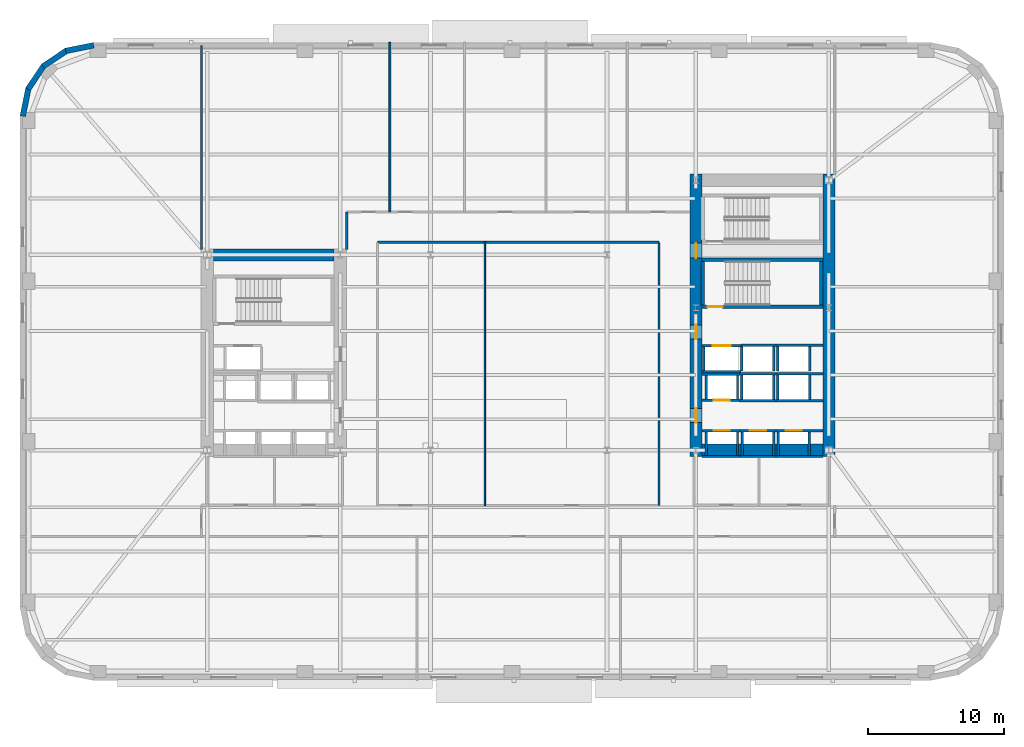
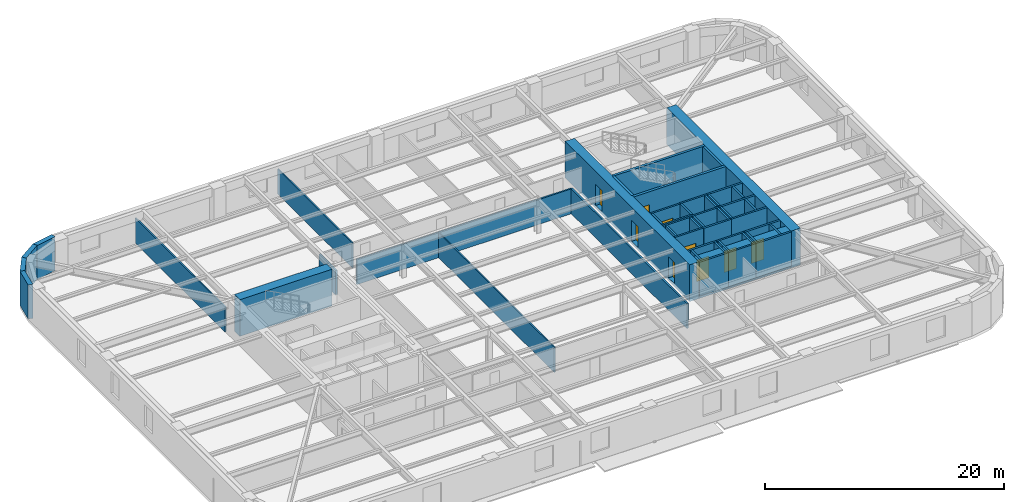
# One storey, part 6 of 14: 51 walls, 9 doors, 9 openings.
"""IFC4 building model written with IfcOpenShell, lengths in metres."""

from ifc_helpers import new_model, si_unit, direction, frame, frame_2d, origin, place, context, subcontext, project, spatial, rectangle, extrude, material, layer, layer_set, type_object, element, fill, save


model = new_model("IFC4")

# Units and contexts
model_context = context("Model", 3, precision=1e-05, world=origin(), true_north=direction((0.0, 1.0)))
body_context = subcontext(model_context, "Body", "Model", "MODEL_VIEW")
ifc_project = project(units=[si_unit("LENGTHUNIT", "METRE"), si_unit("AREAUNIT", "SQUARE_METRE"), si_unit("VOLUMEUNIT", "CUBIC_METRE"), si_unit("PLANEANGLEUNIT", "RADIAN"), si_unit("MASSUNIT", "GRAM", prefix="KILO")], contexts=[model_context])

# Site, building, storey
site_placement = place(None, origin())
site = spatial("IfcSite", under=ifc_project, at=site_placement, CompositionType="ELEMENT")
building_placement = place(site_placement, origin())
building = spatial("IfcBuilding", under=site, at=building_placement, Name="Kolvaren Arena Tower", CompositionType="ELEMENT")
storey_placement = place(building_placement, frame((0.0, 0.0, 53.25)))
storey = spatial("IfcBuildingStorey", under=building, at=storey_placement, Name="L10", CompositionType="ELEMENT", Elevation=53.25)

# Walls
ifc_material_1 = material(Name="Gypsum board acoustic assembly", Category="gypsum")
ifc_layer_1 = layer(ifc_material_1, 0.159912109375)
ifc_layer_set_1 = layer_set([ifc_layer_1], Name="Gypsum board acoustic assembly")
wall_type_1 = type_object("IfcWallType", Name="CORR-160", PredefinedType="PARTITIONING", material=ifc_layer_set_1)
wall_1_placement = place(storey_placement, frame((24.820068359375, 34.25, 0.0), z_axis=(0.0, 0.0, 1.0), x_axis=(0.0, 1.0, 0.0)))
element("IfcWall", 1, at=wall_1_placement, inside=storey, type_object=wall_type_1, Name="Interior Partition Wall (L10)", PredefinedType="PARTITIONING", context=body_context, shape_type="SweptSolid", body=[
    extrude(rectangle(XDim=2.77001953125, YDim=0.159912109375, at=frame_2d((1.385009765625, 0.0))), origin(), (0.0, 0.0, 1.0), 2.5400390625),
])
wall_2_placement = place(storey_placement, frame((27.080078125, 34.780029296875, 0.0), z_axis=(0.0, 0.0, 1.0), x_axis=(1.0, 0.0, 0.0)))
element("IfcWall", 2, at=wall_2_placement, inside=storey, type_object=wall_type_1, Name="Interior Partition Wall (L10)", PredefinedType="PARTITIONING", context=body_context, shape_type="SweptSolid", body=[
    extrude(rectangle(XDim=20.739990234375, YDim=0.159912109375, at=frame_2d((10.3701171875, 0.0))), origin(), (0.0, 0.0, 1.0), 2.5400390625),
])
wall_3_placement = place(storey_placement, frame((47.820068359375, 15.3798828125, 0.0), z_axis=(0.0, 0.0, 1.0), x_axis=(0.0, 1.0, 0.0)))
element("IfcWall", 3, at=wall_3_placement, inside=storey, type_object=wall_type_1, Name="Interior Partition Wall (L10)", PredefinedType="PARTITIONING", context=body_context, shape_type="SweptSolid", body=[
    extrude(rectangle(XDim=19.400146484375, YDim=0.159912109375, at=frame_2d((9.7001953125, 0.0))), origin(), (0.0, 0.0, 1.0), 2.5400390625),
])
ifc_material_2 = material(Name="Concrete 80 MPa", Category="concrete")
ifc_layer_2 = layer(ifc_material_2, 0.89990234375)
ifc_layer_set_2 = layer_set([ifc_layer_2], Name="Concrete 80 MPa")
wall_type_2 = type_object("IfcWallType", Name="CWALL-900", PredefinedType="SHEAR", material=ifc_layer_set_2)
wall_4_placement = place(storey_placement, frame((15.0, 33.85009765625, -0.27001953125), z_axis=(0.0, 0.0, 1.0), x_axis=(1.0, 0.0, 0.0)))
element("IfcWall", 4, at=wall_4_placement, inside=storey, type_object=wall_type_2, Name="Core Shear Wall WC-NORTH (L10)", PredefinedType="SHEAR", context=body_context, shape_type="SweptSolid", body=[
    extrude(rectangle(XDim=8.89990234375, YDim=0.89990234375, at=frame_2d((4.449951171875, 0.0))), origin(), (0.0, 0.0, 1.0), 3.75),
])

# Wall, openings, doors
wall_5_placement = place(storey_placement, frame((50.550048828125, 19.0, -0.27001953125), z_axis=(0.0, 0.0, 1.0), x_axis=(0.0, 1.0, 0.0)))
wall_5 = element("IfcWall", 5, at=wall_5_placement, inside=storey, type_object=wall_type_2, Name="Core Shear Wall EC-WEST (L10)", PredefinedType="SHEAR", context=body_context, shape_type="SweptSolid", body=[
    extrude(rectangle(XDim=20.800048828125, YDim=0.89990234375, at=frame_2d((10.39990234375, 0.0))), origin(), (0.0, 0.0, 1.0), 3.75),
])
opening_1_placement = place(wall_5_placement, frame((2.5, 0.0, 0.27001953125)))
opening_1 = element("IfcOpeningElement", 6, at=opening_1_placement, cuts=wall_5, Name="Opening D04", PredefinedType="OPENING", context=body_context, shape_type="SweptSolid", body=[
    extrude(rectangle(XDim=1.050048828125, YDim=2.14990234375, at=frame_2d((0.52490234375, 1.074951171875))), frame((0.0, 0.4599609375, 0.0), z_axis=(0.0, -1.0, 0.0), x_axis=(1.0, 0.0, 0.0)), (0.0, 0.0, 1.0), 0.919921875),
])
opening_2_placement = place(wall_5_placement, frame((8.64990234375, 0.0, 0.27001953125)))
opening_2 = element("IfcOpeningElement", 7, at=opening_2_placement, cuts=wall_5, Name="Opening D04", PredefinedType="OPENING", context=body_context, shape_type="SweptSolid", body=[
    extrude(rectangle(XDim=1.050048828125, YDim=2.14990234375, at=frame_2d((0.52490234375, 1.074951171875))), frame((0.0, 0.4599609375, 0.0), z_axis=(0.0, -1.0, 0.0), x_axis=(1.0, 0.0, 0.0)), (0.0, 0.0, 1.0), 0.919921875),
])
opening_3_placement = place(wall_5_placement, frame((14.6201171875, 0.0, 0.27001953125)))
opening_3 = element("IfcOpeningElement", 8, at=opening_3_placement, cuts=wall_5, Name="Opening D03", PredefinedType="OPENING", context=body_context, shape_type="SweptSolid", body=[
    extrude(rectangle(XDim=1.10009765625, YDim=2.14990234375, at=frame_2d((0.550048828125, 1.074951171875))), frame((0.0, 0.4599609375, 0.0), z_axis=(0.0, -1.0, 0.0), x_axis=(1.0, 0.0, 0.0)), (0.0, 0.0, 1.0), 0.919921875),
])
ifc_material_3 = material(Name="Fire-rated steel lobby door", Category="steel")
door_type_1 = type_object("IfcDoorType", Name="DOOR-FF-105", OperationType="NOTDEFINED", PredefinedType="DOOR", material=ifc_material_3)
door_1_placement = place(opening_1_placement, origin())
door_1 = element("IfcDoor", 9, at=door_1_placement, inside=storey, type_object=door_type_1, Name="East Lift Lobby Fire Door (L10)", OperationType="SINGLE_SWING_RIGHT", OverallHeight=2.14990234375, OverallWidth=1.050048828125, PredefinedType="DOOR", context=body_context, shape_type="SweptSolid", body=[
    extrude(rectangle(XDim=1.050048828125, YDim=2.14990234375, at=frame_2d((0.52490234375, 1.074951171875))), frame((0.0, 0.02490234375, 0.0), z_axis=(0.0, -1.0, 0.0), x_axis=(1.0, 0.0, 0.0)), (0.0, 0.0, 1.0), 0.050048828125),
])
fill(opening_1, door_1)
door_2_placement = place(opening_2_placement, origin())
door_2 = element("IfcDoor", 10, at=door_2_placement, inside=storey, type_object=door_type_1, Name="East Firefighter Vestibule Door (L10)", OperationType="SINGLE_SWING_LEFT", OverallHeight=2.14990234375, OverallWidth=1.050048828125, PredefinedType="DOOR", context=body_context, shape_type="SweptSolid", body=[
    extrude(rectangle(XDim=1.050048828125, YDim=2.14990234375, at=frame_2d((0.52490234375, 1.074951171875))), frame((0.0, 0.02490234375, 0.0), z_axis=(0.0, -1.0, 0.0), x_axis=(1.0, 0.0, 0.0)), (0.0, 0.0, 1.0), 0.050048828125),
])
fill(opening_2, door_2)
ifc_material_4 = material(Name="Fire-rated steel exit stair door", Category="steel")
door_type_2 = type_object("IfcDoorType", Name="DOOR-ST-110", OperationType="NOTDEFINED", PredefinedType="DOOR", material=ifc_material_4)
door_3_placement = place(opening_3_placement, origin())
door_3 = element("IfcDoor", 11, at=door_3_placement, inside=storey, type_object=door_type_2, Name="Stair ST-E2 Vestibule Fire Door (L10)", OperationType="SINGLE_SWING_LEFT", OverallHeight=2.14990234375, OverallWidth=1.10009765625, PredefinedType="DOOR", context=body_context, shape_type="SweptSolid", body=[
    extrude(rectangle(XDim=1.10009765625, YDim=2.14990234375, at=frame_2d((0.550048828125, 1.074951171875))), frame((0.0, 0.02490234375, 0.0), z_axis=(0.0, -1.0, 0.0), x_axis=(1.0, 0.0, 0.0)), (0.0, 0.0, 1.0), 0.050048828125),
])
fill(opening_3, door_3)

# Walls
wall_6_placement = place(storey_placement, frame((60.35009765625, 19.0, -0.27001953125), z_axis=(0.0, 0.0, 1.0), x_axis=(0.0, 1.0, 0.0)))
element("IfcWall", 12, at=wall_6_placement, inside=storey, type_object=wall_type_2, Name="Core Shear Wall EC-EAST (L10)", PredefinedType="SHEAR", context=body_context, shape_type="SweptSolid", body=[
    extrude(rectangle(XDim=20.800048828125, YDim=0.89990234375, at=frame_2d((10.39990234375, 0.0))), origin(), (0.0, 0.0, 1.0), 3.75),
])
wall_7_placement = place(storey_placement, frame((51.0, 19.449951171875, -0.27001953125), z_axis=(0.0, 0.0, 1.0), x_axis=(1.0, 0.0, 0.0)))
element("IfcWall", 13, at=wall_7_placement, inside=storey, type_object=wall_type_2, Name="Core Shear Wall EC-SOUTH (L10)", PredefinedType="SHEAR", context=body_context, shape_type="SweptSolid", body=[
    extrude(rectangle(XDim=8.89990234375, YDim=0.89990234375, at=frame_2d((4.449951171875, 0.0))), origin(), (0.0, 0.0, 1.0), 3.75),
])
ifc_material_5 = material(Name="Precast concrete C50/60", Category="concrete")
ifc_layer_3 = layer(ifc_material_5, 0.419921875)
ifc_layer_set_3 = layer_set([ifc_layer_3], Name="Precast concrete C50/60")
wall_type_3 = type_object("IfcWallType", Name="EXT-PIER1", PredefinedType="SOLIDWALL", material=ifc_layer_set_3)
for number, where, z_axis, x_axis, name in (
    (14, (4.12451171875, 48.8828125, 0.0), (0.0, 0.0, 1.0), (0.9807762837, 0.195135546048, 0.0), "Exterior Precast Masonry-Frame Wall (L10)"),
    (15, (2.4482421875, 47.743896484375, 0.0), (0.0, 0.0, 1.0), (0.831515102434, 0.555502146192, 0.0), "Exterior Precast Masonry-Frame Wall (L10)"),
    (16, (1.335693359375, 46.0498046875, 0.0), (0.0, 0.0, 1.0), (0.555502146192, 0.831515102434, 0.0), "Exterior Precast Masonry-Frame Wall (L10)"),
    (17, (0.9560546875, 44.05908203125, 0.0), (0.0, 0.0, 1.0), (0.195135546048, 0.9807762837, 0.0), "Exterior Precast Masonry-Frame Wall (L10)"),
):
    element("IfcWall", number, at=place(storey_placement, frame(where, z_axis=z_axis, x_axis=x_axis)), inside=storey, type_object=wall_type_3, Name=name, PredefinedType="SOLIDWALL", context=body_context, shape_type="SweptSolid", body=[
        extrude(rectangle(XDim=2.10693359375, YDim=0.419921875, at=frame_2d((1.053466796875, 0.0))), origin(), (0.0, 0.0, 1.0), 3.47998046875),
    ])
ifc_material_6 = material(Name="Gypsum board partition assembly", Category="gypsum")
ifc_layer_4 = layer(ifc_material_6, 0.114990234375)
ifc_layer_set_4 = layer_set([ifc_layer_4], Name="Gypsum board partition assembly")
wall_type_4 = type_object("IfcWallType", Name="PART-115", PredefinedType="PARTITIONING", material=ifc_layer_set_4)
wall_8_placement = place(storey_placement, frame((35.0, 15.3798828125, 0.0), z_axis=(0.0, 0.0, 1.0), x_axis=(0.0, 1.0, 0.0)))
element("IfcWall", 18, at=wall_8_placement, inside=storey, type_object=wall_type_4, Name="Interior Partition Wall (L10)", PredefinedType="PARTITIONING", context=body_context, shape_type="SweptSolid", body=[
    extrude(rectangle(XDim=19.400146484375, YDim=0.114990234375, at=frame_2d((9.7001953125, 0.0))), origin(), (0.0, 0.0, 1.0), 2.5400390625),
])
ifc_layer_5 = layer(ifc_material_6, 0.135009765625)
ifc_layer_set_5 = layer_set([ifc_layer_5], Name="Gypsum board partition assembly")
wall_type_5 = type_object("IfcWallType", Name="PART-135", PredefinedType="PARTITIONING", material=ifc_layer_set_5)
wall_9_placement = place(storey_placement, frame((28.0, 37.02001953125, 0.0), z_axis=(0.0, 0.0, 1.0), x_axis=(0.0, 1.0, 0.0)))
element("IfcWall", 19, at=wall_9_placement, inside=storey, type_object=wall_type_5, Name="Interior Partition Wall (L10)", PredefinedType="PARTITIONING", context=body_context, shape_type="SweptSolid", body=[
    extrude(rectangle(XDim=12.47998046875, YDim=0.135009765625, at=frame_2d((6.239990234375, 0.0))), origin(), (0.0, 0.0, 1.0), 2.5400390625),
])
wall_10_placement = place(storey_placement, frame((14.1201171875, 34.25, 0.0), z_axis=(0.0, 0.0, 1.0), x_axis=(0.0, 1.0, 0.0)))
element("IfcWall", 20, at=wall_10_placement, inside=storey, type_object=wall_type_5, Name="Interior Partition Wall (L10)", PredefinedType="PARTITIONING", context=body_context, shape_type="SweptSolid", body=[
    extrude(rectangle(XDim=15.010009765625, YDim=0.135009765625, at=frame_2d((7.5048828125, 0.0))), origin(), (0.0, 0.0, 1.0), 2.5400390625),
])

# Wall, opening, door
ifc_material_7 = material(Name="Concrete 45 MPa", Category="concrete")
ifc_layer_6 = layer(ifc_material_7, 0.25)
ifc_layer_set_6 = layer_set([ifc_layer_6], Name="Concrete 45 MPa")
wall_type_6 = type_object("IfcWallType", Name="SHAFT-250", PredefinedType="SOLIDWALL", material=ifc_layer_set_6)
wall_11_placement = place(storey_placement, frame((59.89990234375, 30.030029296875, 0.0), z_axis=(0.0, 0.0, 1.0), x_axis=(-1.0, 0.0, 0.0)))
wall_11 = element("IfcWall", 21, at=wall_11_placement, inside=storey, type_object=wall_type_6, Name="Core Shaft Wall (L10)", PredefinedType="SOLIDWALL", context=body_context, shape_type="SweptSolid", body=[
    extrude(rectangle(XDim=8.89990234375, YDim=0.239990234375, at=frame_2d((4.449951171875, 0.0))), origin(), (0.0, 0.0, 1.0), 3.47998046875),
])
opening_4_placement = place(wall_11_placement, frame((7.3798828125, 0.0, 0.0)))
opening_4 = element("IfcOpeningElement", 22, at=opening_4_placement, cuts=wall_11, Name="Opening D03", PredefinedType="OPENING", context=body_context, shape_type="SweptSolid", body=[
    extrude(rectangle(XDim=1.10009765625, YDim=2.14990234375, at=frame_2d((0.550048828125, 1.074951171875))), frame((0.0, 0.1298828125, 0.0), z_axis=(0.0, -1.0, 0.0), x_axis=(1.0, 0.0, 0.0)), (0.0, 0.0, 1.0), 0.260009765625),
])
door_4_placement = place(opening_4_placement, origin())
door_4 = element("IfcDoor", 23, at=door_4_placement, inside=storey, type_object=door_type_2, Name="Stair ST-E1 Fire Door (L10)", OperationType="SINGLE_SWING_LEFT", OverallHeight=2.14990234375, OverallWidth=1.10009765625, PredefinedType="DOOR", context=body_context, shape_type="SweptSolid", body=[
    extrude(rectangle(XDim=1.10009765625, YDim=2.14990234375, at=frame_2d((0.550048828125, 1.074951171875))), frame((0.0, 0.02490234375, 0.0), z_axis=(0.0, -1.0, 0.0), x_axis=(1.0, 0.0, 0.0)), (0.0, 0.0, 1.0), 0.050048828125),
])
fill(opening_4, door_4)

# Walls
wall_12_placement = place(storey_placement, frame((51.0, 33.5, 0.0), z_axis=(0.0, 0.0, 1.0), x_axis=(1.0, 0.0, 0.0)))
element("IfcWall", 24, at=wall_12_placement, inside=storey, type_object=wall_type_6, Name="Core Shaft Wall (L10)", PredefinedType="SOLIDWALL", context=body_context, shape_type="SweptSolid", body=[
    extrude(rectangle(XDim=8.89990234375, YDim=0.239990234375, at=frame_2d((4.449951171875, 0.0))), origin(), (0.0, 0.0, 1.0), 3.47998046875),
])
for number, where, z_axis, x_axis, name in (
    (25, (51.06005859375, 30.14990234375, 0.0), (0.0, 0.0, 1.0), (0.0, 1.0, 0.0), "Core Shaft Wall (L10)"),
    (26, (59.780029296875, 30.14990234375, 0.0), (0.0, 0.0, 1.0), (0.0, 1.0, 0.0), "Core Shaft Wall (L10)"),
):
    element("IfcWall", number, at=place(storey_placement, frame(where, z_axis=z_axis, x_axis=x_axis)), inside=storey, type_object=wall_type_6, Name=name, PredefinedType="SOLIDWALL", context=body_context, shape_type="SweptSolid", body=[
        extrude(rectangle(XDim=3.22998046875, YDim=0.239990234375, at=frame_2d((1.614990234375, 0.0))), origin(), (0.0, 0.0, 1.0), 3.47998046875),
    ])

# Wall, opening, door
wall_13_placement = place(storey_placement, frame((51.0, 20.905029296875, 0.0), z_axis=(0.0, 0.0, 1.0), x_axis=(1.0, 0.0, 0.0)))
wall_13 = element("IfcWall", 27, at=wall_13_placement, inside=storey, type_object=wall_type_6, Name="Core Shaft Wall (L10)", PredefinedType="SOLIDWALL", context=body_context, shape_type="SweptSolid", body=[
    extrude(rectangle(XDim=2.7900390625, YDim=0.179931640625, at=frame_2d((1.39501953125, 0.0))), origin(), (0.0, 0.0, 1.0), 3.47998046875),
])
opening_5_placement = place(wall_13_placement, frame((0.860107421875, 0.0, 0.0)))
opening_5 = element("IfcOpeningElement", 28, at=opening_5_placement, cuts=wall_13, Name="Opening LD1", PredefinedType="OPENING", context=body_context, shape_type="SweptSolid", body=[
    extrude(rectangle(XDim=1.199951171875, YDim=2.199951171875, at=frame_2d((0.60009765625, 1.10009765625))), frame((0.0, 0.099853515625, 0.0), z_axis=(0.0, -1.0, 0.0), x_axis=(1.0, 0.0, 0.0)), (0.0, 0.0, 1.0), 0.199951171875),
])
ifc_material_8 = material(Name="Stainless steel passenger lift landing door", Category="steel")
door_type_3 = type_object("IfcDoorType", Name="DOOR-LD-120", OperationType="DOUBLE_DOOR_SLIDING", PredefinedType="DOOR", material=ifc_material_8)
door_5_placement = place(opening_5_placement, origin())
door_5 = element("IfcDoor", 29, at=door_5_placement, inside=storey, type_object=door_type_3, Name="Lift EL-LR1 Landing Door (L10)", OperationType="DOUBLE_DOOR_SLIDING", OverallHeight=2.199951171875, OverallWidth=1.199951171875, PredefinedType="DOOR", context=body_context, shape_type="SweptSolid", body=[
    extrude(rectangle(XDim=1.199951171875, YDim=2.199951171875, at=frame_2d((0.60009765625, 1.10009765625))), frame((0.0, 0.02490234375, 0.0), z_axis=(0.0, -1.0, 0.0), x_axis=(1.0, 0.0, 0.0)), (0.0, 0.0, 1.0), 0.050048828125),
])
fill(opening_5, door_5)

# Walls
wall_14_placement = place(storey_placement, frame((51.0, 18.9951171875, 0.0), z_axis=(0.0, 0.0, 1.0), x_axis=(1.0, 0.0, 0.0)))
element("IfcWall", 30, at=wall_14_placement, inside=storey, type_object=wall_type_6, Name="Core Shaft Wall (L10)", PredefinedType="SOLIDWALL", context=body_context, shape_type="SweptSolid", body=[
    extrude(rectangle(XDim=2.7900390625, YDim=0.179931640625, at=frame_2d((1.39501953125, 0.0))), origin(), (0.0, 0.0, 1.0), 3.47998046875),
])
for number, where, z_axis, x_axis, name in (
    (31, (51.304931640625, 19.0849609375, 0.0), (0.0, 0.0, 1.0), (0.0, 1.0, 0.0), "Core Shaft Wall (L10)"),
    (32, (53.614990234375, 19.0849609375, 0.0), (0.0, 0.0, 1.0), (0.0, 1.0, 0.0), "Core Shaft Wall (L10)"),
):
    element("IfcWall", number, at=place(storey_placement, frame(where, z_axis=z_axis, x_axis=x_axis)), inside=storey, type_object=wall_type_6, Name=name, PredefinedType="SOLIDWALL", context=body_context, shape_type="SweptSolid", body=[
        extrude(rectangle(XDim=1.72998046875, YDim=0.179931640625, at=frame_2d((0.864990234375, 0.0))), origin(), (0.0, 0.0, 1.0), 3.47998046875),
    ])

# Wall, opening, door
wall_15_placement = place(storey_placement, frame((53.7900390625, 20.905029296875, 0.0), z_axis=(0.0, 0.0, 1.0), x_axis=(1.0, 0.0, 0.0)))
wall_15 = element("IfcWall", 33, at=wall_15_placement, inside=storey, type_object=wall_type_6, Name="Core Shaft Wall (L10)", PredefinedType="SOLIDWALL", context=body_context, shape_type="SweptSolid", body=[
    extrude(rectangle(XDim=2.64990234375, YDim=0.179931640625, at=frame_2d((1.324951171875, 0.0))), origin(), (0.0, 0.0, 1.0), 3.47998046875),
])
opening_6_placement = place(wall_15_placement, frame((0.72998046875, 0.0, 0.0)))
opening_6 = element("IfcOpeningElement", 34, at=opening_6_placement, cuts=wall_15, Name="Opening LD1", PredefinedType="OPENING", context=body_context, shape_type="SweptSolid", body=[
    extrude(rectangle(XDim=1.199951171875, YDim=2.199951171875, at=frame_2d((0.60009765625, 1.10009765625))), frame((0.0, 0.099853515625, 0.0), z_axis=(0.0, -1.0, 0.0), x_axis=(1.0, 0.0, 0.0)), (0.0, 0.0, 1.0), 0.199951171875),
])
door_6_placement = place(opening_6_placement, origin())
door_6 = element("IfcDoor", 35, at=door_6_placement, inside=storey, type_object=door_type_3, Name="Lift EL-LR2 Landing Door (L10)", OperationType="DOUBLE_DOOR_SLIDING", OverallHeight=2.199951171875, OverallWidth=1.199951171875, PredefinedType="DOOR", context=body_context, shape_type="SweptSolid", body=[
    extrude(rectangle(XDim=1.199951171875, YDim=2.199951171875, at=frame_2d((0.60009765625, 1.10009765625))), frame((0.0, 0.02490234375, 0.0), z_axis=(0.0, -1.0, 0.0), x_axis=(1.0, 0.0, 0.0)), (0.0, 0.0, 1.0), 0.050048828125),
])
fill(opening_6, door_6)

# Walls
wall_16_placement = place(storey_placement, frame((53.7900390625, 18.9951171875, 0.0), z_axis=(0.0, 0.0, 1.0), x_axis=(1.0, 0.0, 0.0)))
element("IfcWall", 36, at=wall_16_placement, inside=storey, type_object=wall_type_6, Name="Core Shaft Wall (L10)", PredefinedType="SOLIDWALL", context=body_context, shape_type="SweptSolid", body=[
    extrude(rectangle(XDim=2.64990234375, YDim=0.179931640625, at=frame_2d((1.324951171875, 0.0))), origin(), (0.0, 0.0, 1.0), 3.47998046875),
])
for number, where, z_axis, x_axis, name in (
    (37, (53.965087890625, 19.0849609375, 0.0), (0.0, 0.0, 1.0), (0.0, 1.0, 0.0), "Core Shaft Wall (L10)"),
    (38, (56.27490234375, 19.0849609375, 0.0), (0.0, 0.0, 1.0), (0.0, 1.0, 0.0), "Core Shaft Wall (L10)"),
):
    element("IfcWall", number, at=place(storey_placement, frame(where, z_axis=z_axis, x_axis=x_axis)), inside=storey, type_object=wall_type_6, Name=name, PredefinedType="SOLIDWALL", context=body_context, shape_type="SweptSolid", body=[
        extrude(rectangle(XDim=1.72998046875, YDim=0.179931640625, at=frame_2d((0.864990234375, 0.0))), origin(), (0.0, 0.0, 1.0), 3.47998046875),
    ])

# Wall, opening, door
wall_17_placement = place(storey_placement, frame((56.43994140625, 20.905029296875, 0.0), z_axis=(0.0, 0.0, 1.0), x_axis=(1.0, 0.0, 0.0)))
wall_17 = element("IfcWall", 39, at=wall_17_placement, inside=storey, type_object=wall_type_6, Name="Core Shaft Wall (L10)", PredefinedType="SOLIDWALL", context=body_context, shape_type="SweptSolid", body=[
    extrude(rectangle(XDim=3.4599609375, YDim=0.179931640625, at=frame_2d((1.72998046875, 0.0))), origin(), (0.0, 0.0, 1.0), 3.47998046875),
])
opening_7_placement = place(wall_17_placement, frame((0.719970703125, 0.0, 0.0)))
opening_7 = element("IfcOpeningElement", 40, at=opening_7_placement, cuts=wall_17, Name="Opening LD1", PredefinedType="OPENING", context=body_context, shape_type="SweptSolid", body=[
    extrude(rectangle(XDim=1.199951171875, YDim=2.199951171875, at=frame_2d((0.60009765625, 1.10009765625))), frame((0.0, 0.099853515625, 0.0), z_axis=(0.0, -1.0, 0.0), x_axis=(1.0, 0.0, 0.0)), (0.0, 0.0, 1.0), 0.199951171875),
])
door_7_placement = place(opening_7_placement, origin())
door_7 = element("IfcDoor", 41, at=door_7_placement, inside=storey, type_object=door_type_3, Name="Lift EL-LR3 Landing Door (L10)", OperationType="DOUBLE_DOOR_SLIDING", OverallHeight=2.199951171875, OverallWidth=1.199951171875, PredefinedType="DOOR", context=body_context, shape_type="SweptSolid", body=[
    extrude(rectangle(XDim=1.199951171875, YDim=2.199951171875, at=frame_2d((0.60009765625, 1.10009765625))), frame((0.0, 0.02490234375, 0.0), z_axis=(0.0, -1.0, 0.0), x_axis=(1.0, 0.0, 0.0)), (0.0, 0.0, 1.0), 0.050048828125),
])
fill(opening_7, door_7)

# Walls
wall_18_placement = place(storey_placement, frame((56.43994140625, 18.9951171875, 0.0), z_axis=(0.0, 0.0, 1.0), x_axis=(1.0, 0.0, 0.0)))
element("IfcWall", 42, at=wall_18_placement, inside=storey, type_object=wall_type_6, Name="Core Shaft Wall (L10)", PredefinedType="SOLIDWALL", context=body_context, shape_type="SweptSolid", body=[
    extrude(rectangle(XDim=3.4599609375, YDim=0.179931640625, at=frame_2d((1.72998046875, 0.0))), origin(), (0.0, 0.0, 1.0), 3.47998046875),
])
for number, where, z_axis, x_axis, name in (
    (43, (56.60498046875, 19.0849609375, 0.0), (0.0, 0.0, 1.0), (0.0, 1.0, 0.0), "Core Shaft Wall (L10)"),
    (44, (58.9150390625, 19.0849609375, 0.0), (0.0, 0.0, 1.0), (0.0, 1.0, 0.0), "Core Shaft Wall (L10)"),
):
    element("IfcWall", number, at=place(storey_placement, frame(where, z_axis=z_axis, x_axis=x_axis)), inside=storey, type_object=wall_type_6, Name=name, PredefinedType="SOLIDWALL", context=body_context, shape_type="SweptSolid", body=[
        extrude(rectangle(XDim=1.72998046875, YDim=0.179931640625, at=frame_2d((0.864990234375, 0.0))), origin(), (0.0, 0.0, 1.0), 3.47998046875),
    ])
wall_19_placement = place(storey_placement, frame((51.0, 25.054931640625, 0.0), z_axis=(0.0, 0.0, 1.0), x_axis=(1.0, 0.0, 0.0)))
element("IfcWall", 45, at=wall_19_placement, inside=storey, type_object=wall_type_6, Name="Core Shaft Wall (L10)", PredefinedType="SOLIDWALL", context=body_context, shape_type="SweptSolid", body=[
    extrude(rectangle(XDim=2.777587890625, YDim=0.179931640625, at=frame_2d((1.388671875, 0.0))), origin(), (0.0, 0.0, 1.0), 3.47998046875),
])

# Wall, opening, door
wall_20_placement = place(storey_placement, frame((51.0, 23.14501953125, 0.0), z_axis=(0.0, 0.0, 1.0), x_axis=(1.0, 0.0, 0.0)))
wall_20 = element("IfcWall", 46, at=wall_20_placement, inside=storey, type_object=wall_type_6, Name="Core Shaft Wall (L10)", PredefinedType="SOLIDWALL", context=body_context, shape_type="SweptSolid", body=[
    extrude(rectangle(XDim=2.777587890625, YDim=0.179931640625, at=frame_2d((1.388671875, 0.0))), origin(), (0.0, 0.0, 1.0), 3.47998046875),
])
opening_8_placement = place(wall_20_placement, frame((0.860107421875, 0.0, 0.0)))
opening_8 = element("IfcOpeningElement", 47, at=opening_8_placement, cuts=wall_20, Name="Opening LD1", PredefinedType="OPENING", context=body_context, shape_type="SweptSolid", body=[
    extrude(rectangle(XDim=1.199951171875, YDim=2.199951171875, at=frame_2d((0.60009765625, 1.10009765625))), frame((0.0, 0.099853515625, 0.0), z_axis=(0.0, -1.0, 0.0), x_axis=(1.0, 0.0, 0.0)), (0.0, 0.0, 1.0), 0.199951171875),
])
door_8_placement = place(opening_8_placement, origin())
door_8 = element("IfcDoor", 48, at=door_8_placement, inside=storey, type_object=door_type_3, Name="Lift EL-LR4 Landing Door (L10)", OperationType="DOUBLE_DOOR_SLIDING", OverallHeight=2.199951171875, OverallWidth=1.199951171875, PredefinedType="DOOR", context=body_context, shape_type="SweptSolid", body=[
    extrude(rectangle(XDim=1.199951171875, YDim=2.199951171875, at=frame_2d((0.60009765625, 1.10009765625))), frame((0.0, 0.02490234375, 0.0), z_axis=(0.0, -1.0, 0.0), x_axis=(1.0, 0.0, 0.0)), (0.0, 0.0, 1.0), 0.050048828125),
])
fill(opening_8, door_8)

# Walls
for number, where, z_axis, x_axis, name in (
    (49, (51.304931640625, 23.235107421875, 0.0), (0.0, 0.0, 1.0), (0.0, 1.0, 0.0), "Core Shaft Wall (L10)"),
    (50, (53.614990234375, 23.235107421875, 0.0), (0.0, 0.0, 1.0), (0.0, 1.0, 0.0), "Core Shaft Wall (L10)"),
):
    element("IfcWall", number, at=place(storey_placement, frame(where, z_axis=z_axis, x_axis=x_axis)), inside=storey, type_object=wall_type_6, Name=name, PredefinedType="SOLIDWALL", context=body_context, shape_type="SweptSolid", body=[
        extrude(rectangle(XDim=1.72998046875, YDim=0.179931640625, at=frame_2d((0.864990234375, 0.0))), origin(), (0.0, 0.0, 1.0), 3.47998046875),
    ])
for number, where, z_axis, x_axis, name in (
    (51, (53.777587890625, 25.10498046875, 0.0), (0.0, 0.0, 1.0), (1.0, 0.0, 0.0), "Core Shaft Wall (L10)"),
    (52, (53.777587890625, 23.094970703125, 0.0), (0.0, 0.0, 1.0), (1.0, 0.0, 0.0), "Core Shaft Wall (L10)"),
):
    element("IfcWall", number, at=place(storey_placement, frame(where, z_axis=z_axis, x_axis=x_axis)), inside=storey, type_object=wall_type_6, Name=name, PredefinedType="SOLIDWALL", context=body_context, shape_type="SweptSolid", body=[
        extrude(rectangle(XDim=2.662353515625, YDim=0.179931640625, at=frame_2d((1.3310546875, 0.0))), origin(), (0.0, 0.0, 1.0), 3.47998046875),
    ])
for number, where, z_axis, x_axis, name in (
    (53, (53.93994140625, 23.18505859375, 0.0), (0.0, 0.0, 1.0), (0.0, 1.0, 0.0), "Core Shaft Wall (L10)"),
    (54, (56.300048828125, 23.18505859375, 0.0), (0.0, 0.0, 1.0), (0.0, 1.0, 0.0), "Core Shaft Wall (L10)"),
):
    element("IfcWall", number, at=place(storey_placement, frame(where, z_axis=z_axis, x_axis=x_axis)), inside=storey, type_object=wall_type_6, Name=name, PredefinedType="SOLIDWALL", context=body_context, shape_type="SweptSolid", body=[
        extrude(rectangle(XDim=1.829833984375, YDim=0.179931640625, at=frame_2d((0.9150390625, 0.0))), origin(), (0.0, 0.0, 1.0), 3.47998046875),
    ])
for number, where, z_axis, x_axis, name in (
    (55, (56.43994140625, 25.10498046875, 0.0), (0.0, 0.0, 1.0), (1.0, 0.0, 0.0), "Core Shaft Wall (L10)"),
    (56, (56.43994140625, 23.094970703125, 0.0), (0.0, 0.0, 1.0), (1.0, 0.0, 0.0), "Core Shaft Wall (L10)"),
):
    element("IfcWall", number, at=place(storey_placement, frame(where, z_axis=z_axis, x_axis=x_axis)), inside=storey, type_object=wall_type_6, Name=name, PredefinedType="SOLIDWALL", context=body_context, shape_type="SweptSolid", body=[
        extrude(rectangle(XDim=3.4599609375, YDim=0.179931640625, at=frame_2d((1.72998046875, 0.0))), origin(), (0.0, 0.0, 1.0), 3.47998046875),
    ])
for number, where, z_axis, x_axis, name in (
    (57, (56.580078125, 23.18505859375, 0.0), (0.0, 0.0, 1.0), (0.0, 1.0, 0.0), "Core Shaft Wall (L10)"),
    (58, (58.93994140625, 23.18505859375, 0.0), (0.0, 0.0, 1.0), (0.0, 1.0, 0.0), "Core Shaft Wall (L10)"),
):
    element("IfcWall", number, at=place(storey_placement, frame(where, z_axis=z_axis, x_axis=x_axis)), inside=storey, type_object=wall_type_6, Name=name, PredefinedType="SOLIDWALL", context=body_context, shape_type="SweptSolid", body=[
        extrude(rectangle(XDim=1.829833984375, YDim=0.179931640625, at=frame_2d((0.9150390625, 0.0))), origin(), (0.0, 0.0, 1.0), 3.47998046875),
    ])
wall_21_placement = place(storey_placement, frame((53.864990234375, 27.205078125, 0.0), z_axis=(0.0, 0.0, 1.0), x_axis=(1.0, 0.0, 0.0)))
element("IfcWall", 59, at=wall_21_placement, inside=storey, type_object=wall_type_6, Name="Core Shaft Wall (L10)", PredefinedType="SOLIDWALL", context=body_context, shape_type="SweptSolid", body=[
    extrude(rectangle(XDim=2.574951171875, YDim=0.179931640625, at=frame_2d((1.28759765625, 0.0))), origin(), (0.0, 0.0, 1.0), 3.47998046875),
])
for number, where, z_axis, x_axis, name in (
    (60, (53.93994140625, 25.284912109375, 0.0), (0.0, 0.0, 1.0), (0.0, 1.0, 0.0), "Core Shaft Wall (L10)"),
    (61, (56.300048828125, 25.284912109375, 0.0), (0.0, 0.0, 1.0), (0.0, 1.0, 0.0), "Core Shaft Wall (L10)"),
):
    element("IfcWall", number, at=place(storey_placement, frame(where, z_axis=z_axis, x_axis=x_axis)), inside=storey, type_object=wall_type_6, Name=name, PredefinedType="SOLIDWALL", context=body_context, shape_type="SweptSolid", body=[
        extrude(rectangle(XDim=1.830078125, YDim=0.179931640625, at=frame_2d((0.9150390625, 0.0))), origin(), (0.0, 0.0, 1.0), 3.47998046875),
    ])
wall_22_placement = place(storey_placement, frame((56.43994140625, 27.205078125, 0.0), z_axis=(0.0, 0.0, 1.0), x_axis=(1.0, 0.0, 0.0)))
element("IfcWall", 62, at=wall_22_placement, inside=storey, type_object=wall_type_6, Name="Core Shaft Wall (L10)", PredefinedType="SOLIDWALL", context=body_context, shape_type="SweptSolid", body=[
    extrude(rectangle(XDim=3.4599609375, YDim=0.179931640625, at=frame_2d((1.72998046875, 0.0))), origin(), (0.0, 0.0, 1.0), 3.47998046875),
])
for number, where, z_axis, x_axis, name in (
    (63, (56.580078125, 25.284912109375, 0.0), (0.0, 0.0, 1.0), (0.0, 1.0, 0.0), "Core Shaft Wall (L10)"),
    (64, (58.93994140625, 25.284912109375, 0.0), (0.0, 0.0, 1.0), (0.0, 1.0, 0.0), "Core Shaft Wall (L10)"),
):
    element("IfcWall", number, at=place(storey_placement, frame(where, z_axis=z_axis, x_axis=x_axis)), inside=storey, type_object=wall_type_6, Name=name, PredefinedType="SOLIDWALL", context=body_context, shape_type="SweptSolid", body=[
        extrude(rectangle(XDim=1.830078125, YDim=0.179931640625, at=frame_2d((0.9150390625, 0.0))), origin(), (0.0, 0.0, 1.0), 3.47998046875),
    ])

# Wall, opening, door
wall_23_placement = place(storey_placement, frame((51.0, 27.155029296875, 0.0), z_axis=(0.0, 0.0, 1.0), x_axis=(1.0, 0.0, 0.0)))
wall_23 = element("IfcWall", 65, at=wall_23_placement, inside=storey, type_object=wall_type_6, Name="Core Shaft Wall (L10)", PredefinedType="SOLIDWALL", context=body_context, shape_type="SweptSolid", body=[
    extrude(rectangle(XDim=2.864990234375, YDim=0.179931640625, at=frame_2d((1.4326171875, 0.0))), origin(), (0.0, 0.0, 1.0), 3.47998046875),
])
opening_9_placement = place(wall_23_placement, frame((0.784912109375, 0.0, 0.0)))
opening_9 = element("IfcOpeningElement", 66, at=opening_9_placement, cuts=wall_23, Name="Opening LD2", PredefinedType="OPENING", context=body_context, shape_type="SweptSolid", body=[
    extrude(rectangle(XDim=1.35009765625, YDim=2.300048828125, at=frame_2d((0.675048828125, 1.14990234375))), frame((0.0, 0.099853515625, 0.0), z_axis=(0.0, -1.0, 0.0), x_axis=(1.0, 0.0, 0.0)), (0.0, 0.0, 1.0), 0.199951171875),
])
ifc_material_9 = material(Name="Stainless steel firefighter lift landing door", Category="steel")
door_type_4 = type_object("IfcDoorType", Name="DOOR-LD-135", OperationType="DOUBLE_DOOR_SLIDING", PredefinedType="DOOR", material=ifc_material_9)
door_9_placement = place(opening_9_placement, origin())
door_9 = element("IfcDoor", 67, at=door_9_placement, inside=storey, type_object=door_type_4, Name="Firefighter Lift FF-E1 Landing Door (L10)", OperationType="DOUBLE_DOOR_SLIDING", OverallHeight=2.300048828125, OverallWidth=1.35009765625, PredefinedType="DOOR", context=body_context, shape_type="SweptSolid", body=[
    extrude(rectangle(XDim=1.35009765625, YDim=2.300048828125, at=frame_2d((0.675048828125, 1.14990234375))), frame((0.0, 0.02490234375, 0.0), z_axis=(0.0, -1.0, 0.0), x_axis=(1.0, 0.0, 0.0)), (0.0, 0.0, 1.0), 0.050048828125),
])
fill(opening_9, door_9)

# Walls
wall_24_placement = place(storey_placement, frame((51.0, 25.2451171875, 0.0), z_axis=(0.0, 0.0, 1.0), x_axis=(1.0, 0.0, 0.0)))
element("IfcWall", 68, at=wall_24_placement, inside=storey, type_object=wall_type_6, Name="Core Shaft Wall (L10)", PredefinedType="SOLIDWALL", context=body_context, shape_type="SweptSolid", body=[
    extrude(rectangle(XDim=2.864990234375, YDim=0.179931640625, at=frame_2d((1.4326171875, 0.0))), origin(), (0.0, 0.0, 1.0), 3.47998046875),
])
wall_25_placement = place(storey_placement, frame((51.1298828125, 25.3349609375, 0.0), z_axis=(0.0, 0.0, 1.0), x_axis=(0.0, 1.0, 0.0)))
element("IfcWall", 69, at=wall_25_placement, inside=storey, type_object=wall_type_6, Name="Core Shaft Wall (L10)", PredefinedType="SOLIDWALL", context=body_context, shape_type="SweptSolid", body=[
    extrude(rectangle(XDim=1.72998046875, YDim=0.179931640625, at=frame_2d((0.864990234375, 0.0))), origin(), (0.0, 0.0, 1.0), 3.47998046875),
])

save(model, "model.ifc")
